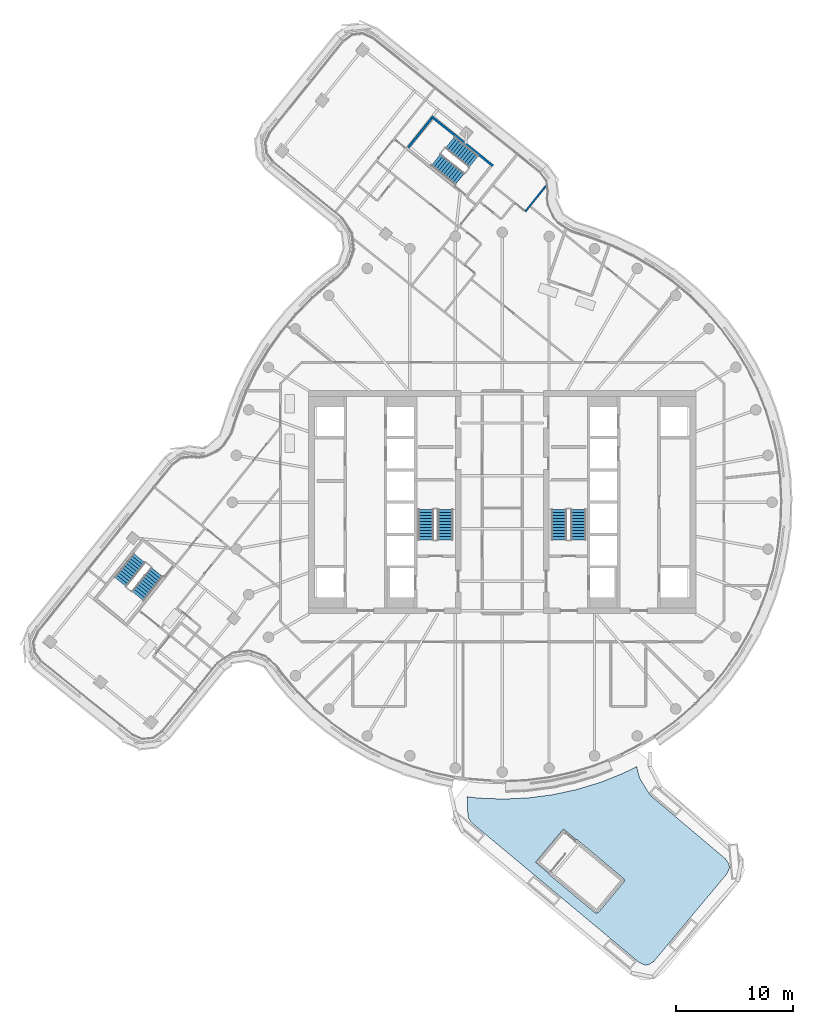
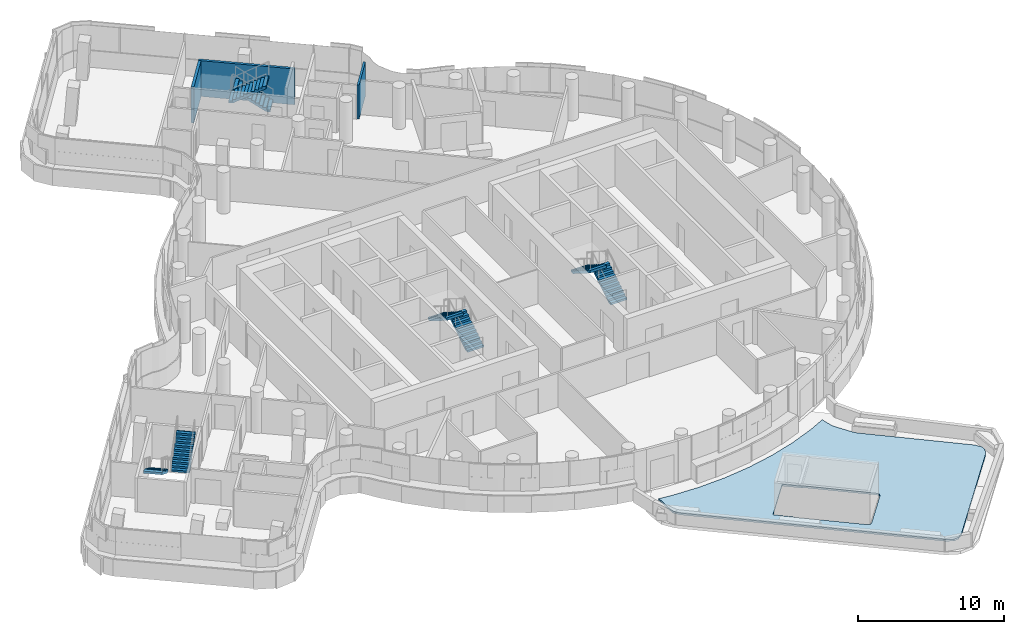
# One storey, part 19 of 25: 8 stair flights, 3 walls, 1 roof, 4 elements without a shape of their own.
"""IFC4 building model written with IfcOpenShell, lengths in metres."""

from ifc_helpers import new_model, si_unit, direction, frame, frame_2d, origin, place, context, subcontext, project, spatial, polyline, rectangle, outline, extrude, material, layer, layer_set, type_object, element, aggregate, save


model = new_model("IFC4")

# Units and contexts
model_context = context("Model", 3, precision=1e-05, world=origin(), true_north=direction((0.0, 1.0)))
body_context = subcontext(model_context, "Body", "Model", "MODEL_VIEW")
ifc_project = project(units=[si_unit("LENGTHUNIT", "METRE"), si_unit("AREAUNIT", "SQUARE_METRE"), si_unit("VOLUMEUNIT", "CUBIC_METRE"), si_unit("PLANEANGLEUNIT", "RADIAN"), si_unit("MASSUNIT", "GRAM", prefix="KILO")], contexts=[model_context])

# Site, building, storey
site_placement = place(None, origin())
site = spatial("IfcSite", under=ifc_project, at=site_placement, CompositionType="ELEMENT")
building_placement = place(site_placement, origin())
building = spatial("IfcBuilding", under=site, at=building_placement, Name="Tamarind Cross Interchange Tower", CompositionType="ELEMENT")
storey_placement = place(building_placement, frame((0.0, 0.0, 219.89990234375)))
storey = spatial("IfcBuildingStorey", under=building, at=storey_placement, Name="L55", CompositionType="ELEMENT", Elevation=219.89990234375)

# Walls
ifc_material_1 = material(Name="Gypsum board partition on steel studs", Category="steel")
ifc_layer_1 = layer(ifc_material_1, 0.14990234375)
ifc_layer_set_1 = layer_set([ifc_layer_1], Name="Gypsum board partition on steel studs")
wall_type_1 = type_object("IfcWallType", Name="Partition 150 mm EI 120", PredefinedType="PARTITIONING", material=ifc_layer_set_1)
wall_1_placement = place(storey_placement, frame((1.9736328125, 24.776123046875, 0.0), z_axis=(0.0, 0.0, 1.0), x_axis=(0.626641118129, 0.779307968053, 0.0)))
element("IfcWall", 1, at=wall_1_placement, inside=storey, type_object=wall_type_1, Name="Partition L55-045", PredefinedType="PARTITIONING", context=body_context, shape_type="SweptSolid", body=[
    extrude(rectangle(XDim=2.796875, YDim=0.14990234375, at=frame_2d((1.3984375, 0.0))), origin(), (0.0, 0.0, 1.0), 2.864013671875),
])
ifc_material_2 = material(Name="Concrete C40", Category="concrete")
ifc_layer_2 = layer(ifc_material_2, 0.199951171875)
ifc_layer_set_2 = layer_set([ifc_layer_2], Name="Concrete C40")
wall_type_2 = type_object("IfcWallType", Name="Stair shaft wall 200 mm Concrete C40", PredefinedType="SHEAR", material=ifc_layer_set_2)
wall_2_placement = place(storey_placement, frame((-0.795166015625, 28.670654296875, -0.139892578125), z_axis=(0.0, 0.0, 1.0), x_axis=(-0.779280760932, 0.626674952142, 0.0)))
element("IfcWall", 2, at=wall_2_placement, inside=storey, type_object=wall_type_2, Name="Core wall CWL-L55-ST4-C", PredefinedType="SHEAR", context=body_context, shape_type="SweptSolid", body=[
    extrude(rectangle(XDim=6.699951171875, YDim=0.199951171875, at=frame_2d((3.35009765625, 0.0))), origin(), (0.0, 0.0, 1.0), 3.00390625),
])
wall_3_placement = place(storey_placement, frame((0.0, 0.0, -0.139892578125)))
element("IfcWall", 3, at=wall_3_placement, inside=storey, type_object=wall_type_2, Name="Core wall CWL-L55-ST4-CF", PredefinedType="SHEAR", context=body_context, shape_type="SweptSolid", body=[
    extrude(outline(polyline([(-5.923095703125, 32.666015625), (-6.0791015625, 32.79150390625), (-8.08447265625, 30.297607421875), (-7.9287109375, 30.17236328125), (-5.923095703125, 32.666015625)])), origin(), (0.0, 0.0, 1.0), 3.00390625),
])

# Stair, stair flights
ifc_material_3 = material(Name="Exit stair")
stair_type = type_object("IfcStairType", Name="Exit stair", PredefinedType="HALF_TURN_STAIR", material=ifc_material_3)
stair_1_placement = place(storey_placement, origin())
stair_1 = element("IfcStair", 4, at=stair_1_placement, inside=storey, type_object=stair_type, Name="L55 exit stair ST1", PredefinedType="HALF_TURN_STAIR")
ifc_material_4 = material(Name="Exit stair flight")
stair_flight_type = type_object("IfcStairFlightType", Name="Exit stair flight", PredefinedType="STRAIGHT", material=ifc_material_4)
stair_flight_1_placement = place(storey_placement, frame((-4.85009765625, -3.199951171875, 0.0), z_axis=(0.0, 0.0, 1.0), x_axis=(0.0, 1.0, 0.0)))
stair_flight_1 = element("IfcStairFlight", 5, at=stair_flight_1_placement, type_object=stair_flight_type, Name="ST1 flight 1", NumberOfRisers=11, NumberOfTreads=10, PredefinedType="STRAIGHT", RiserHeight=0.163636364, TreadLength=0.26, context=body_context, shape_type="SweptSolid", body=[
    extrude(outline(polyline([(0.0, 0.0), (0.0, 0.16357421875), (0.260009765625, 0.16357421875), (0.260009765625, 0.327392578125), (0.52001953125, 0.327392578125), (0.52001953125, 0.490966796875), (0.780029296875, 0.490966796875), (0.780029296875, 0.654541015625), (1.0400390625, 0.654541015625), (1.0400390625, 0.818115234375), (1.300048828125, 0.818115234375), (1.300048828125, 0.98193359375), (1.56005859375, 0.98193359375), (1.56005859375, 1.1455078125), (1.820068359375, 1.1455078125), (1.820068359375, 1.30908203125), (2.080078125, 1.30908203125), (2.080078125, 1.47265625), (2.340087890625, 1.47265625), (2.340087890625, 1.636474609375), (2.60009765625, 1.636474609375), (2.60009765625, 1.800048828125), (2.60009765625, 1.459228515625), (0.281494140625, 0.0), (0.0, 0.0)])), frame((0.0, 0.64990234375, 0.0), z_axis=(0.0, -1.0, 0.0), x_axis=(1.0, 0.0, 0.0)), (0.0, 0.0, 1.0), 1.300048828125),
])
stair_flight_2_placement = place(storey_placement, frame((-6.5, -0.60009765625, 1.800048828125), z_axis=(0.0, 0.0, 1.0), x_axis=(0.0, -1.0, 0.0)))
stair_flight_2 = element("IfcStairFlight", 6, at=stair_flight_2_placement, type_object=stair_flight_type, Name="ST1 flight 2", NumberOfRisers=11, NumberOfTreads=10, PredefinedType="STRAIGHT", RiserHeight=0.163636364, TreadLength=0.26, context=body_context, shape_type="SweptSolid", body=[
    extrude(outline(polyline([(0.0, 0.0), (0.0, 0.16357421875), (0.260009765625, 0.16357421875), (0.260009765625, 0.327392578125), (0.52001953125, 0.327392578125), (0.52001953125, 0.490966796875), (0.780029296875, 0.490966796875), (0.780029296875, 0.654541015625), (1.0400390625, 0.654541015625), (1.0400390625, 0.818115234375), (1.300048828125, 0.818115234375), (1.300048828125, 0.98193359375), (1.56005859375, 0.98193359375), (1.56005859375, 1.1455078125), (1.820068359375, 1.1455078125), (1.820068359375, 1.30908203125), (2.080078125, 1.30908203125), (2.080078125, 1.47265625), (2.340087890625, 1.47265625), (2.340087890625, 1.636474609375), (2.60009765625, 1.636474609375), (2.60009765625, 1.679931640625), (2.612060546875, 1.679931640625), (2.612060546875, 1.466796875), (0.281494140625, 0.0), (0.0, 0.0)])), frame((0.0, 0.64990234375, 0.0), z_axis=(0.0, -1.0, 0.0), x_axis=(1.0, 0.0, 0.0)), (0.0, 0.0, 1.0), 1.300048828125),
])
aggregate(stair_1, [stair_flight_1, stair_flight_2])

stair_2_placement = place(storey_placement, origin())
stair_2 = element("IfcStair", 7, at=stair_2_placement, inside=storey, type_object=stair_type, Name="L55 exit stair ST2", PredefinedType="HALF_TURN_STAIR")
stair_flight_3_placement = place(storey_placement, frame((6.5, -3.199951171875, 0.0), z_axis=(0.0, 0.0, 1.0), x_axis=(0.0, 1.0, 0.0)))
stair_flight_3 = element("IfcStairFlight", 8, at=stair_flight_3_placement, type_object=stair_flight_type, Name="ST2 flight 1", NumberOfRisers=11, NumberOfTreads=10, PredefinedType="STRAIGHT", RiserHeight=0.163636364, TreadLength=0.26, context=body_context, shape_type="SweptSolid", body=[
    extrude(outline(polyline([(0.0, 0.0), (0.0, 0.16357421875), (0.260009765625, 0.16357421875), (0.260009765625, 0.327392578125), (0.52001953125, 0.327392578125), (0.52001953125, 0.490966796875), (0.780029296875, 0.490966796875), (0.780029296875, 0.654541015625), (1.0400390625, 0.654541015625), (1.0400390625, 0.818115234375), (1.300048828125, 0.818115234375), (1.300048828125, 0.98193359375), (1.56005859375, 0.98193359375), (1.56005859375, 1.1455078125), (1.820068359375, 1.1455078125), (1.820068359375, 1.30908203125), (2.080078125, 1.30908203125), (2.080078125, 1.47265625), (2.340087890625, 1.47265625), (2.340087890625, 1.636474609375), (2.60009765625, 1.636474609375), (2.60009765625, 1.800048828125), (2.60009765625, 1.459228515625), (0.281494140625, 0.0), (0.0, 0.0)])), frame((0.0, 0.64990234375, 0.0), z_axis=(0.0, -1.0, 0.0), x_axis=(1.0, 0.0, 0.0)), (0.0, 0.0, 1.0), 1.300048828125),
])
stair_flight_4_placement = place(storey_placement, frame((4.85009765625, -0.60009765625, 1.800048828125), z_axis=(0.0, 0.0, 1.0), x_axis=(0.0, -1.0, 0.0)))
stair_flight_4 = element("IfcStairFlight", 9, at=stair_flight_4_placement, type_object=stair_flight_type, Name="ST2 flight 2", NumberOfRisers=11, NumberOfTreads=10, PredefinedType="STRAIGHT", RiserHeight=0.163636364, TreadLength=0.26, context=body_context, shape_type="SweptSolid", body=[
    extrude(outline(polyline([(0.0, 0.0), (0.0, 0.16357421875), (0.260009765625, 0.16357421875), (0.260009765625, 0.327392578125), (0.52001953125, 0.327392578125), (0.52001953125, 0.490966796875), (0.780029296875, 0.490966796875), (0.780029296875, 0.654541015625), (1.0400390625, 0.654541015625), (1.0400390625, 0.818115234375), (1.300048828125, 0.818115234375), (1.300048828125, 0.98193359375), (1.56005859375, 0.98193359375), (1.56005859375, 1.1455078125), (1.820068359375, 1.1455078125), (1.820068359375, 1.30908203125), (2.080078125, 1.30908203125), (2.080078125, 1.47265625), (2.340087890625, 1.47265625), (2.340087890625, 1.636474609375), (2.60009765625, 1.636474609375), (2.60009765625, 1.679931640625), (2.612060546875, 1.679931640625), (2.612060546875, 1.466796875), (0.281494140625, 0.0), (0.0, 0.0)])), frame((0.0, 0.64990234375, 0.0), z_axis=(0.0, -1.0, 0.0), x_axis=(1.0, 0.0, 0.0)), (0.0, 0.0, 1.0), 1.300048828125),
])
aggregate(stair_2, [stair_flight_3, stair_flight_4])

stair_3_placement = place(storey_placement, origin())
stair_3 = element("IfcStair", 10, at=stair_3_placement, inside=storey, type_object=stair_type, Name="L55 exit stair ST4", PredefinedType="HALF_TURN_STAIR")
stair_flight_5_placement = place(storey_placement, frame((-2.43408203125, 29.026123046875, 0.0), z_axis=(0.0, 0.0, 1.0), x_axis=(-0.779285467959, 0.62666909883, 0.0)))
stair_flight_5 = element("IfcStairFlight", 11, at=stair_flight_5_placement, type_object=stair_flight_type, Name="ST4 flight 1", NumberOfRisers=11, NumberOfTreads=10, PredefinedType="STRAIGHT", RiserHeight=0.163636364, TreadLength=0.26, context=body_context, shape_type="SweptSolid", body=[
    extrude(outline(polyline([(0.0, 0.0), (0.0, 0.16357421875), (0.260009765625, 0.16357421875), (0.260009765625, 0.327392578125), (0.52001953125, 0.327392578125), (0.52001953125, 0.490966796875), (0.780029296875, 0.490966796875), (0.780029296875, 0.654541015625), (1.0400390625, 0.654541015625), (1.0400390625, 0.818115234375), (1.300048828125, 0.818115234375), (1.300048828125, 0.98193359375), (1.56005859375, 0.98193359375), (1.56005859375, 1.1455078125), (1.820068359375, 1.1455078125), (1.820068359375, 1.30908203125), (2.080078125, 1.30908203125), (2.080078125, 1.47265625), (2.340087890625, 1.47265625), (2.340087890625, 1.636474609375), (2.60009765625, 1.636474609375), (2.60009765625, 1.800048828125), (2.60009765625, 1.459228515625), (0.281494140625, 0.0), (0.0, 0.0)])), frame((0.0, 0.64990234375, 0.0), z_axis=(0.0, -1.0, 0.0), x_axis=(1.0, 0.0, 0.0)), (0.0, 0.0, 1.0), 1.300048828125),
])
stair_flight_6_placement = place(storey_placement, frame((-5.65087890625, 29.1748046875, 1.800048828125), z_axis=(0.0, 0.0, 1.0), x_axis=(0.779285467959, -0.62666909883, 0.0)))
stair_flight_6 = element("IfcStairFlight", 12, at=stair_flight_6_placement, type_object=stair_flight_type, Name="ST4 flight 2", NumberOfRisers=11, NumberOfTreads=10, PredefinedType="STRAIGHT", RiserHeight=0.163636364, TreadLength=0.26, context=body_context, shape_type="SweptSolid", body=[
    extrude(outline(polyline([(0.0, 0.0), (0.0, 0.16357421875), (0.260009765625, 0.16357421875), (0.260009765625, 0.327392578125), (0.52001953125, 0.327392578125), (0.52001953125, 0.490966796875), (0.780029296875, 0.490966796875), (0.780029296875, 0.654541015625), (1.0400390625, 0.654541015625), (1.0400390625, 0.818115234375), (1.300048828125, 0.818115234375), (1.300048828125, 0.98193359375), (1.56005859375, 0.98193359375), (1.56005859375, 1.1455078125), (1.820068359375, 1.1455078125), (1.820068359375, 1.30908203125), (2.080078125, 1.30908203125), (2.080078125, 1.47265625), (2.340087890625, 1.47265625), (2.340087890625, 1.636474609375), (2.60009765625, 1.636474609375), (2.60009765625, 1.679931640625), (2.612060546875, 1.679931640625), (2.612060546875, 1.466796875), (0.281494140625, 0.0), (0.0, 0.0)])), frame((0.0, 0.64990234375, 0.0), z_axis=(0.0, -1.0, 0.0), x_axis=(1.0, 0.0, 0.0)), (0.0, 0.0, 1.0), 1.300048828125),
])
aggregate(stair_3, [stair_flight_5, stair_flight_6])

stair_4_placement = place(storey_placement, origin())
stair_4 = element("IfcStair", 13, at=stair_4_placement, inside=storey, type_object=stair_type, Name="L55 exit stair ST5", PredefinedType="HALF_TURN_STAIR")
stair_flight_7_placement = place(storey_placement, frame((-30.90625, -4.77197265625, 0.0), z_axis=(0.0, 0.0, 1.0), x_axis=(-0.62666909883, -0.779285467959, 0.0)))
stair_flight_7 = element("IfcStairFlight", 14, at=stair_flight_7_placement, type_object=stair_flight_type, Name="ST5 flight 1", NumberOfRisers=11, NumberOfTreads=10, PredefinedType="STRAIGHT", RiserHeight=0.163636364, TreadLength=0.26, context=body_context, shape_type="SweptSolid", body=[
    extrude(outline(polyline([(0.0, 0.0), (0.0, 0.16357421875), (0.260009765625, 0.16357421875), (0.260009765625, 0.327392578125), (0.52001953125, 0.327392578125), (0.52001953125, 0.490966796875), (0.780029296875, 0.490966796875), (0.780029296875, 0.654541015625), (1.0400390625, 0.654541015625), (1.0400390625, 0.818115234375), (1.300048828125, 0.818115234375), (1.300048828125, 0.98193359375), (1.56005859375, 0.98193359375), (1.56005859375, 1.1455078125), (1.820068359375, 1.1455078125), (1.820068359375, 1.30908203125), (2.080078125, 1.30908203125), (2.080078125, 1.47265625), (2.340087890625, 1.47265625), (2.340087890625, 1.636474609375), (2.60009765625, 1.636474609375), (2.60009765625, 1.800048828125), (2.60009765625, 1.459228515625), (0.281494140625, 0.0), (0.0, 0.0)])), frame((0.0, 0.64990234375, 0.0), z_axis=(0.0, -1.0, 0.0), x_axis=(1.0, 0.0, 0.0)), (0.0, 0.0, 1.0), 1.300048828125),
])
stair_flight_8_placement = place(storey_placement, frame((-31.054931640625, -7.98876953125, 1.800048828125), z_axis=(0.0, 0.0, 1.0), x_axis=(0.62666909883, 0.779285467959, 0.0)))
stair_flight_8 = element("IfcStairFlight", 15, at=stair_flight_8_placement, type_object=stair_flight_type, Name="ST5 flight 2", NumberOfRisers=11, NumberOfTreads=10, PredefinedType="STRAIGHT", RiserHeight=0.163636364, TreadLength=0.26, context=body_context, shape_type="SweptSolid", body=[
    extrude(outline(polyline([(0.0, 0.0), (0.0, 0.16357421875), (0.260009765625, 0.16357421875), (0.260009765625, 0.327392578125), (0.52001953125, 0.327392578125), (0.52001953125, 0.490966796875), (0.780029296875, 0.490966796875), (0.780029296875, 0.654541015625), (1.0400390625, 0.654541015625), (1.0400390625, 0.818115234375), (1.300048828125, 0.818115234375), (1.300048828125, 0.98193359375), (1.56005859375, 0.98193359375), (1.56005859375, 1.1455078125), (1.820068359375, 1.1455078125), (1.820068359375, 1.30908203125), (2.080078125, 1.30908203125), (2.080078125, 1.47265625), (2.340087890625, 1.47265625), (2.340087890625, 1.636474609375), (2.60009765625, 1.636474609375), (2.60009765625, 1.679931640625), (2.612060546875, 1.679931640625), (2.612060546875, 1.466796875), (0.281494140625, 0.0), (0.0, 0.0)])), frame((0.0, 0.64990234375, 0.0), z_axis=(0.0, -1.0, 0.0), x_axis=(1.0, 0.0, 0.0)), (0.0, 0.0, 1.0), 1.300048828125),
])
aggregate(stair_4, [stair_flight_7, stair_flight_8])

# Roof
ifc_material_5 = material(Name="Soil and planting substrate")
ifc_layer_3 = layer(ifc_material_5, 0.14990234375)
ifc_layer_set_3 = layer_set([ifc_layer_3], Name="Soil and planting substrate")
roof_type = type_object("IfcRoofType", Name="Green roof", PredefinedType="USERDEFINED", material=ifc_layer_set_3)
roof_placement = place(storey_placement, origin())
element("IfcRoof", 16, at=roof_placement, inside=storey, type_object=roof_type, Name="GRF-L55-S", ObjectType="Green roof", PredefinedType="USERDEFINED", context=body_context, shape_type="SweptSolid", body=[
    extrude(outline(polyline([(-2.014404296875, -25.215087890625), (-2.0400390625, -25.21240234375), (-2.993896484375, -25.097412109375), (-2.978759765625, -25.166259765625), (-2.964111328125, -25.294677734375), (-2.963134765625, -25.31005859375), (-2.9609375, -25.374755859375), (-2.951904296875, -26.2890625), (-2.884521484375, -26.9091796875), (-2.580078125, -27.336181640625), (11.6552734375, -39.217529296875), (12.141357421875, -39.442626953125), (12.50537109375, -39.409912109375), (12.943359375, -39.101318359375), (19.14013671875, -31.6767578125), (19.365478515625, -31.190673828125), (19.33251953125, -30.82666015625), (19.022216796875, -30.3857421875), (12.811767578125, -25.14404296875), (12.76513671875, -25.102783203125), (12.75439453125, -25.092529296875), (12.66748046875, -25.00341796875), (12.59033203125, -24.90576171875), (12.581787109375, -24.893798828125), (12.546630859375, -24.84228515625), (11.839599609375, -23.7412109375), (11.806640625, -23.68701171875), (11.799072265625, -23.673828125), (11.74169921875, -23.560791015625), (11.696044921875, -23.4423828125), (11.69140625, -23.427978515625), (11.673095703125, -23.367431640625), (11.527099609375, -22.832275390625), (11.51171875, -22.7705078125), (11.508544921875, -22.755859375), (11.48779296875, -22.630859375), (11.480712890625, -22.519775390625), (10.31591796875, -23.095458984375), (10.289306640625, -23.108154296875), (10.27978515625, -23.112548828125), (10.236083984375, -23.132080078125), (10.2294921875, -23.134765625), (10.20556640625, -23.14453125), (8.373291015625, -23.868408203125), (8.345703125, -23.87890625), (8.336181640625, -23.882568359375), (8.290771484375, -23.898193359375), (8.2841796875, -23.900390625), (8.259521484375, -23.908203125), (6.373779296875, -24.478515625), (6.345458984375, -24.486572265625), (6.33544921875, -24.489501953125), (6.2890625, -24.501220703125), (6.281982421875, -24.5029296875), (6.2568359375, -24.508544921875), (4.33056640625, -24.921142578125), (4.3017578125, -24.927001953125), (4.29150390625, -24.928955078125), (4.244140625, -24.93701171875), (4.2373046875, -24.93798828125), (4.211669921875, -24.941650390625), (2.2578125, -25.193603515625), (2.228515625, -25.197021484375), (2.21826171875, -25.1982421875), (2.17041015625, -25.202392578125), (2.163330078125, -25.20263671875), (2.1376953125, -25.2041015625), (0.169677734375, -25.294189453125), (0.14013671875, -25.295166015625), (0.1298828125, -25.29541015625), (0.081787109375, -25.29541015625), (0.07470703125, -25.29541015625), (0.048828125, -25.294677734375), (-1.919677734375, -25.2216796875), (-1.94921875, -25.22021484375), (-1.95947265625, -25.219482421875), (-2.00732421875, -25.2158203125), (-2.014404296875, -25.215087890625)]), holes=[polyline([(7.8623046875, -34.942626953125), (7.838623046875, -34.9248046875), (4.00927734375, -31.728759765625), (3.987548828125, -31.708740234375), (3.968017578125, -31.686767578125), (3.95068359375, -31.6630859375), (3.935791015625, -31.6376953125), (3.92333984375, -31.611083984375), (3.9140625, -31.583984375), (2.880615234375, -30.721435546875), (2.876953125, -30.71826171875), (2.873779296875, -30.714599609375), (2.870849609375, -30.71044921875), (2.868408203125, -30.706298828125), (2.8662109375, -30.701904296875), (2.864501953125, -30.697265625), (2.863525390625, -30.6923828125), (2.86279296875, -30.6875), (2.862548828125, -30.6826171875), (2.86279296875, -30.677734375), (2.863525390625, -30.6728515625), (2.864990234375, -30.668212890625), (2.86669921875, -30.66357421875), (2.86865234375, -30.6591796875), (2.871337890625, -30.655029296875), (2.874267578125, -30.651123046875), (5.052734375, -28.041015625), (5.052734375, -28.040771484375), (5.052734375, -28.040771484375), (5.180908203125, -27.88720703125), (5.184326171875, -27.8837890625), (5.18798828125, -27.88037109375), (5.19189453125, -27.87744140625), (5.1962890625, -27.875), (5.20068359375, -27.873046875), (5.205322265625, -27.871337890625), (5.2099609375, -27.8701171875), (5.21484375, -27.869384765625), (5.2197265625, -27.869384765625), (5.224609375, -27.86962890625), (5.2294921875, -27.870361328125), (5.234375, -27.87158203125), (5.239013671875, -27.873291015625), (5.243408203125, -27.87548828125), (5.24755859375, -27.8779296875), (5.25146484375, -27.880859375), (6.284912109375, -28.74365234375), (6.31298828125, -28.748046875), (6.341552734375, -28.75537109375), (6.369140625, -28.765380859375), (6.3955078125, -28.7783203125), (6.420654296875, -28.793701171875), (6.444091796875, -28.811279296875), (10.273681640625, -32.007568359375), (10.29541015625, -32.027587890625), (10.31494140625, -32.049560546875), (10.332275390625, -32.0732421875), (10.34716796875, -32.0986328125), (10.359619140625, -32.12548828125), (10.368896484375, -32.152099609375), (10.395263671875, -32.174072265625), (10.398681640625, -32.177490234375), (10.402099609375, -32.18115234375), (10.405029296875, -32.18505859375), (10.407470703125, -32.189208984375), (10.409423828125, -32.19384765625), (10.4111328125, -32.198486328125), (10.412353515625, -32.203125), (10.4130859375, -32.2080078125), (10.4130859375, -32.212890625), (10.412841796875, -32.2177734375), (10.412109375, -32.22265625), (10.410888671875, -32.227294921875), (10.4091796875, -32.23193359375), (10.406982421875, -32.236572265625), (10.404541015625, -32.240478515625), (10.401611328125, -32.24462890625), (10.379638671875, -32.27099609375), (10.375244140625, -32.298828125), (10.367919921875, -32.327392578125), (10.357666015625, -32.35498046875), (10.3447265625, -32.381591796875), (10.32958984375, -32.406494140625), (10.311767578125, -32.43017578125), (8.26123046875, -34.886962890625), (8.2412109375, -34.908447265625), (8.219482421875, -34.927978515625), (8.195556640625, -34.9453125), (8.170166015625, -34.96044921875), (8.1435546875, -34.97265625), (8.11669921875, -34.982177734375), (8.0947265625, -35.00830078125), (8.091552734375, -35.011962890625), (8.087890625, -35.01513671875), (8.083740234375, -35.01806640625), (8.07958984375, -35.0205078125), (8.0751953125, -35.022705078125), (8.070556640625, -35.0244140625), (8.065673828125, -35.025390625), (8.060791015625, -35.026123046875), (8.055908203125, -35.0263671875), (8.051025390625, -35.02587890625), (8.046142578125, -35.025390625), (8.04150390625, -35.02392578125), (8.036865234375, -35.022216796875), (8.032470703125, -35.020263671875), (8.0283203125, -35.017578125), (8.0244140625, -35.0146484375), (7.998046875, -34.992919921875), (7.969970703125, -34.98828125), (7.94140625, -34.98095703125), (7.913818359375, -34.970703125), (7.887451171875, -34.9580078125), (7.8623046875, -34.942626953125)])]), origin(), (0.0, 0.0, 1.0), 0.150146484375),
])

save(model, "model.ifc")
